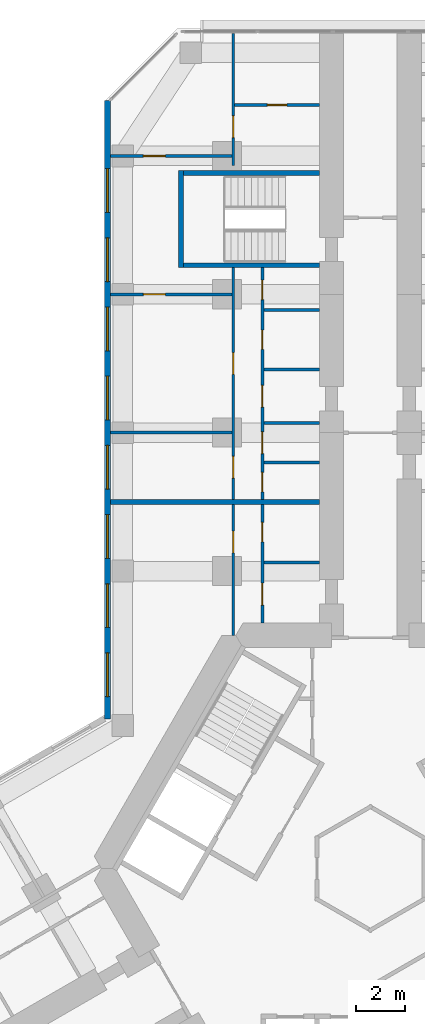
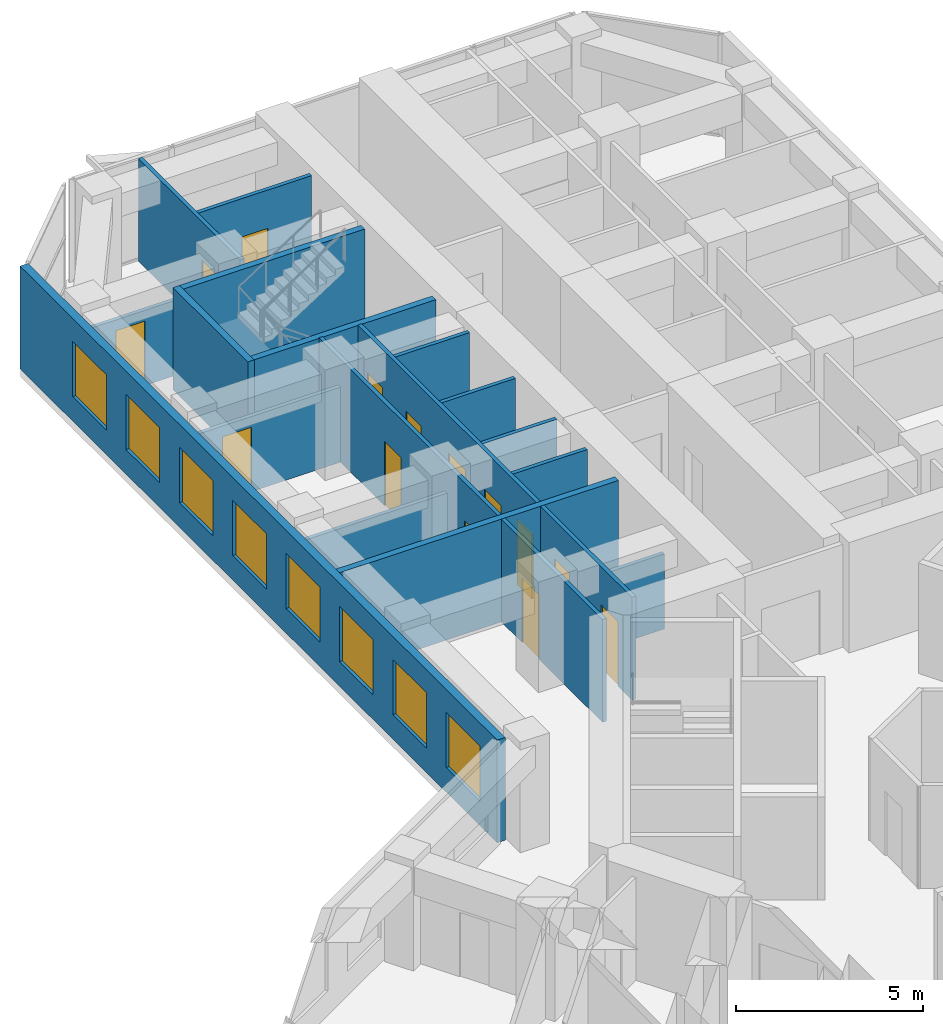
# One storey, part 17 of 21: 19 walls, 14 doors, 8 windows, 22 openings.
"""IFC4 building model written with IfcOpenShell, lengths in metres."""

from ifc_helpers import new_model, si_unit, direction, frame, frame_2d, origin, place, context, subcontext, project, spatial, rectangle, extrude, material, layer, layer_set, type_object, element, fill, save


model = new_model("IFC4")

# Units and contexts
model_context = context("Model", 3, precision=1e-05, world=origin(), true_north=direction((0.0, 1.0)))
body_context = subcontext(model_context, "Body", "Model", "MODEL_VIEW")
ifc_project = project(units=[si_unit("LENGTHUNIT", "METRE"), si_unit("AREAUNIT", "SQUARE_METRE"), si_unit("VOLUMEUNIT", "CUBIC_METRE"), si_unit("PLANEANGLEUNIT", "RADIAN"), si_unit("MASSUNIT", "GRAM", prefix="KILO")], contexts=[model_context])

# Site, building, storey
site_placement = place(None, origin())
site = spatial("IfcSite", under=ifc_project, at=site_placement, CompositionType="ELEMENT")
building_placement = place(site_placement, origin())
building = spatial("IfcBuilding", under=site, at=building_placement, Name="Kosmar Iwan School Tower", CompositionType="ELEMENT")
storey_placement = place(building_placement, frame((0.0, 0.0, 106.0)))
storey = spatial("IfcBuildingStorey", under=building, at=storey_placement, Name="L26", CompositionType="ELEMENT", Elevation=106.0)

# Wall, openings, doors
ifc_material_1 = material(Name="Gypsum board on steel studs", Category="steel")
ifc_layer_1 = layer(ifc_material_1, 0.1201171875)
ifc_layer_set_1 = layer_set([ifc_layer_1], Name="Dwelling partition 120")
wall_type_1 = type_object("IfcWallType", Name="Dwelling partition 120", PredefinedType="PARTITIONING", material=ifc_layer_set_1)
wall_1_placement = place(storey_placement, frame((-4.449951171875, 10.10009765625, 0.0), z_axis=(0.0, 0.0, 1.0), x_axis=(0.0, 1.0, 0.0)))
wall_1 = element("IfcWall", 1, at=wall_1_placement, inside=storey, type_object=wall_type_1, Name="Partition L26-AL1-W1", PredefinedType="PARTITIONING", context=body_context, shape_type="SweptSolid", body=[
    extrude(rectangle(XDim=4.89990234375, YDim=0.1201171875, at=frame_2d((2.449951171875, 0.0))), origin(), (0.0, 0.0, 1.0), 3.35009765625),
])
opening_1_placement = place(wall_1_placement, frame((0.75, 0.0, 0.0)))
opening_1 = element("IfcOpeningElement", 2, at=opening_1_placement, cuts=wall_1, Name="Opening D2", PredefinedType="OPENING", context=body_context, shape_type="SweptSolid", body=[
    extrude(rectangle(XDim=0.89990234375, YDim=2.10009765625, at=frame_2d((0.449951171875, 1.050048828125))), frame((0.0, 0.072021484375, 0.0), z_axis=(0.0, -1.0, 0.0), x_axis=(1.0, 0.0, 0.0)), (0.0, 0.0, 1.0), 0.14404296875),
])
opening_2_placement = place(wall_1_placement, frame((3.35009765625, 0.0, 0.0)))
opening_2 = element("IfcOpeningElement", 3, at=opening_2_placement, cuts=wall_1, Name="Opening D3", PredefinedType="OPENING", context=body_context, shape_type="SweptSolid", body=[
    extrude(rectangle(XDim=0.800048828125, YDim=2.10009765625, at=frame_2d((0.39990234375, 1.050048828125))), frame((0.0, 0.072021484375, 0.0), z_axis=(0.0, -1.0, 0.0), x_axis=(1.0, 0.0, 0.0)), (0.0, 0.0, 1.0), 0.14404296875),
])
ifc_material_2 = material(Name="Timber door in timber frame", Category="wood")
door_type_1 = type_object("IfcDoorType", Name="Internal door 900x2100", OperationType="SINGLE_SWING_LEFT", PredefinedType="DOOR", material=ifc_material_2)
door_1_placement = place(opening_1_placement, origin())
door_1 = element("IfcDoor", 4, at=door_1_placement, inside=storey, type_object=door_type_1, Name="Entrance hall door L26-AL1-S1", OperationType="SINGLE_SWING_LEFT", OverallHeight=2.10009765625, OverallWidth=0.89990234375, PredefinedType="DOOR", context=body_context, shape_type="SweptSolid", body=[
    extrude(rectangle(XDim=0.89990234375, YDim=2.10009765625, at=frame_2d((0.449951171875, 1.050048828125))), frame((0.0, 0.02490234375, 0.0), z_axis=(0.0, -1.0, 0.0), x_axis=(1.0, 0.0, 0.0)), (0.0, 0.0, 1.0), 0.050048828125),
])
fill(opening_1, door_1)
ifc_material_3 = material(Name="Timber door in timber frame", Category="wood")
door_type_2 = type_object("IfcDoorType", Name="Sanitary room door 800x2100", OperationType="SINGLE_SWING_LEFT", PredefinedType="DOOR", material=ifc_material_3)
door_2_placement = place(opening_2_placement, origin())
door_2 = element("IfcDoor", 5, at=door_2_placement, inside=storey, type_object=door_type_2, Name="Bathroom door L26-AL1-S2", OperationType="SINGLE_SWING_RIGHT", OverallHeight=2.10009765625, OverallWidth=0.800048828125, PredefinedType="DOOR", context=body_context, shape_type="SweptSolid", body=[
    extrude(rectangle(XDim=0.800048828125, YDim=2.10009765625, at=frame_2d((0.39990234375, 1.050048828125))), frame((0.0, 0.02490234375, 0.0), z_axis=(0.0, -1.0, 0.0), x_axis=(1.0, 0.0, 0.0)), (0.0, 0.0, 1.0), 0.050048828125),
])
fill(opening_2, door_2)

# Wall, opening, door
wall_2_placement = place(storey_placement, frame((-5.64990234375, 9.60009765625, 0.0), z_axis=(0.0, 0.0, 1.0), x_axis=(0.0, 1.0, 0.0)))
wall_2 = element("IfcWall", 6, at=wall_2_placement, inside=storey, type_object=wall_type_1, Name="Partition L26-AL1-W2", PredefinedType="PARTITIONING", context=body_context, shape_type="SweptSolid", body=[
    extrude(rectangle(XDim=5.39990234375, YDim=0.1201171875, at=frame_2d((2.699951171875, 0.0))), origin(), (0.0, 0.0, 1.0), 3.35009765625),
])
opening_3_placement = place(wall_2_placement, frame((3.39990234375, 0.0, 0.0)))
opening_3 = element("IfcOpeningElement", 7, at=opening_3_placement, cuts=wall_2, Name="Opening D2", PredefinedType="OPENING", context=body_context, shape_type="SweptSolid", body=[
    extrude(rectangle(XDim=0.89990234375, YDim=2.10009765625, at=frame_2d((0.449951171875, 1.050048828125))), frame((0.0, 0.072021484375, 0.0), z_axis=(0.0, -1.0, 0.0), x_axis=(1.0, 0.0, 0.0)), (0.0, 0.0, 1.0), 0.14404296875),
])
door_3_placement = place(opening_3_placement, origin())
door_3 = element("IfcDoor", 8, at=door_3_placement, inside=storey, type_object=door_type_1, Name="Studio living room and kitchen door L26-AL1-F1", OperationType="SINGLE_SWING_RIGHT", OverallHeight=2.10009765625, OverallWidth=0.89990234375, PredefinedType="DOOR", context=body_context, shape_type="SweptSolid", body=[
    extrude(rectangle(XDim=0.89990234375, YDim=2.10009765625, at=frame_2d((0.449951171875, 1.050048828125))), frame((0.0, 0.02490234375, 0.0), z_axis=(0.0, -1.0, 0.0), x_axis=(1.0, 0.0, 0.0)), (0.0, 0.0, 1.0), 0.050048828125),
])
fill(opening_3, door_3)

# Wall
wall_3_placement = place(storey_placement, frame((-2.10009765625, 12.60009765625, 0.0), z_axis=(0.0, 0.0, 1.0), x_axis=(-1.0, 0.0, 0.0)))
element("IfcWall", 9, at=wall_3_placement, inside=storey, type_object=wall_type_1, Name="Partition L26-AL1-Y1", PredefinedType="PARTITIONING", context=body_context, shape_type="SweptSolid", body=[
    extrude(rectangle(XDim=2.289794921875, YDim=0.1201171875, at=frame_2d((1.14501953125, 0.0))), origin(), (0.0, 0.0, 1.0), 2.449951171875),
])

# Wall, openings, doors
wall_4_placement = place(storey_placement, frame((-4.449951171875, 15.199951171875, 0.0), z_axis=(0.0, 0.0, 1.0), x_axis=(0.0, 1.0, 0.0)))
wall_4 = element("IfcWall", 10, at=wall_4_placement, inside=storey, type_object=wall_type_1, Name="Partition L26-AL2-W1", PredefinedType="PARTITIONING", context=body_context, shape_type="SweptSolid", body=[
    extrude(rectangle(XDim=9.550048828125, YDim=0.1201171875, at=frame_2d((4.77490234375, 0.0))), origin(), (0.0, 0.0, 1.0), 3.35009765625),
])
opening_4_placement = place(wall_4_placement, frame((0.3125, 0.0, 0.0)))
opening_4 = element("IfcOpeningElement", 11, at=opening_4_placement, cuts=wall_4, Name="Opening D3", PredefinedType="OPENING", context=body_context, shape_type="SweptSolid", body=[
    extrude(rectangle(XDim=0.800048828125, YDim=2.10009765625, at=frame_2d((0.39990234375, 1.050048828125))), frame((0.0, 0.072021484375, 0.0), z_axis=(0.0, -1.0, 0.0), x_axis=(1.0, 0.0, 0.0)), (0.0, 0.0, 1.0), 0.14404296875),
])
opening_5_placement = place(wall_4_placement, frame((1.887451171875, 0.0, 0.0)))
opening_5 = element("IfcOpeningElement", 12, at=opening_5_placement, cuts=wall_4, Name="Opening D2", PredefinedType="OPENING", context=body_context, shape_type="SweptSolid", body=[
    extrude(rectangle(XDim=0.89990234375, YDim=2.10009765625, at=frame_2d((0.449951171875, 1.050048828125))), frame((0.0, 0.072021484375, 0.0), z_axis=(0.0, -1.0, 0.0), x_axis=(1.0, 0.0, 0.0)), (0.0, 0.0, 1.0), 0.14404296875),
])
opening_6_placement = place(wall_4_placement, frame((3.800048828125, 0.0, 0.0)))
opening_6 = element("IfcOpeningElement", 13, at=opening_6_placement, cuts=wall_4, Name="Opening D2", PredefinedType="OPENING", context=body_context, shape_type="SweptSolid", body=[
    extrude(rectangle(XDim=0.89990234375, YDim=2.10009765625, at=frame_2d((0.449951171875, 1.050048828125))), frame((0.0, 0.072021484375, 0.0), z_axis=(0.0, -1.0, 0.0), x_axis=(1.0, 0.0, 0.0)), (0.0, 0.0, 1.0), 0.14404296875),
])
opening_7_placement = place(wall_4_placement, frame((6.179931640625, 0.0, 0.0)))
opening_7 = element("IfcOpeningElement", 14, at=opening_7_placement, cuts=wall_4, Name="Opening D3", PredefinedType="OPENING", context=body_context, shape_type="SweptSolid", body=[
    extrude(rectangle(XDim=0.800048828125, YDim=2.10009765625, at=frame_2d((0.39990234375, 1.050048828125))), frame((0.0, 0.072021484375, 0.0), z_axis=(0.0, -1.0, 0.0), x_axis=(1.0, 0.0, 0.0)), (0.0, 0.0, 1.0), 0.14404296875),
])
opening_8_placement = place(wall_4_placement, frame((8.22998046875, 0.0, 0.0)))
opening_8 = element("IfcOpeningElement", 15, at=opening_8_placement, cuts=wall_4, Name="Opening D3", PredefinedType="OPENING", context=body_context, shape_type="SweptSolid", body=[
    extrude(rectangle(XDim=0.800048828125, YDim=2.10009765625, at=frame_2d((0.39990234375, 1.050048828125))), frame((0.0, 0.072021484375, 0.0), z_axis=(0.0, -1.0, 0.0), x_axis=(1.0, 0.0, 0.0)), (0.0, 0.0, 1.0), 0.14404296875),
])
door_4_placement = place(opening_5_placement, frame((0.89990234375, 0.0, 0.0), z_axis=(0.0, 0.0, 1.0), x_axis=(-1.0, 0.0, 0.0)))
door_4 = element("IfcDoor", 16, at=door_4_placement, inside=storey, type_object=door_type_1, Name="Pantry door L26-AL2-S2", OperationType="SINGLE_SWING_RIGHT", OverallHeight=2.10009765625, OverallWidth=0.89990234375, PredefinedType="DOOR", context=body_context, shape_type="SweptSolid", body=[
    extrude(rectangle(XDim=0.89990234375, YDim=2.10009765625, at=frame_2d((0.449951171875, 1.050048828125))), frame((0.0, 0.02490234375, 0.0), z_axis=(0.0, -1.0, 0.0), x_axis=(1.0, 0.0, 0.0)), (0.0, 0.0, 1.0), 0.050048828125),
])
fill(opening_5, door_4)
door_5_placement = place(opening_6_placement, origin())
door_5 = element("IfcDoor", 17, at=door_5_placement, inside=storey, type_object=door_type_1, Name="Entrance hall door L26-AL2-S3", OperationType="SINGLE_SWING_LEFT", OverallHeight=2.10009765625, OverallWidth=0.89990234375, PredefinedType="DOOR", context=body_context, shape_type="SweptSolid", body=[
    extrude(rectangle(XDim=0.89990234375, YDim=2.10009765625, at=frame_2d((0.449951171875, 1.050048828125))), frame((0.0, 0.02490234375, 0.0), z_axis=(0.0, -1.0, 0.0), x_axis=(1.0, 0.0, 0.0)), (0.0, 0.0, 1.0), 0.050048828125),
])
fill(opening_6, door_5)
door_6_placement = place(opening_4_placement, origin())
door_6 = element("IfcDoor", 18, at=door_6_placement, inside=storey, type_object=door_type_2, Name="Store door L26-AL2-S1", OperationType="SINGLE_SWING_LEFT", OverallHeight=2.10009765625, OverallWidth=0.800048828125, PredefinedType="DOOR", context=body_context, shape_type="SweptSolid", body=[
    extrude(rectangle(XDim=0.800048828125, YDim=2.10009765625, at=frame_2d((0.39990234375, 1.050048828125))), frame((0.0, 0.02490234375, 0.0), z_axis=(0.0, -1.0, 0.0), x_axis=(1.0, 0.0, 0.0)), (0.0, 0.0, 1.0), 0.050048828125),
])
fill(opening_4, door_6)
door_7_placement = place(opening_7_placement, origin())
door_7 = element("IfcDoor", 19, at=door_7_placement, inside=storey, type_object=door_type_2, Name="Bathroom door L26-AL2-S4", OperationType="SINGLE_SWING_RIGHT", OverallHeight=2.10009765625, OverallWidth=0.800048828125, PredefinedType="DOOR", context=body_context, shape_type="SweptSolid", body=[
    extrude(rectangle(XDim=0.800048828125, YDim=2.10009765625, at=frame_2d((0.39990234375, 1.050048828125))), frame((0.0, 0.02490234375, 0.0), z_axis=(0.0, -1.0, 0.0), x_axis=(1.0, 0.0, 0.0)), (0.0, 0.0, 1.0), 0.050048828125),
])
fill(opening_7, door_7)
door_8_placement = place(opening_8_placement, origin())
door_8 = element("IfcDoor", 20, at=door_8_placement, inside=storey, type_object=door_type_2, Name="WC door L26-AL2-S5", OperationType="SINGLE_SWING_RIGHT", OverallHeight=2.10009765625, OverallWidth=0.800048828125, PredefinedType="DOOR", context=body_context, shape_type="SweptSolid", body=[
    extrude(rectangle(XDim=0.800048828125, YDim=2.10009765625, at=frame_2d((0.39990234375, 1.050048828125))), frame((0.0, 0.02490234375, 0.0), z_axis=(0.0, -1.0, 0.0), x_axis=(1.0, 0.0, 0.0)), (0.0, 0.0, 1.0), 0.050048828125),
])
fill(opening_8, door_8)

wall_5_placement = place(storey_placement, frame((-5.64990234375, 15.199951171875, 0.0), z_axis=(0.0, 0.0, 1.0), x_axis=(0.0, 1.0, 0.0)))
wall_5 = element("IfcWall", 21, at=wall_5_placement, inside=storey, type_object=wall_type_1, Name="Partition L26-AL2-W2", PredefinedType="PARTITIONING", context=body_context, shape_type="SweptSolid", body=[
    extrude(rectangle(XDim=9.550048828125, YDim=0.1201171875, at=frame_2d((4.77490234375, 0.0))), origin(), (0.0, 0.0, 1.0), 3.35009765625),
])
opening_9_placement = place(wall_5_placement, frame((0.875, 0.0, 0.0)))
opening_9 = element("IfcOpeningElement", 22, at=opening_9_placement, cuts=wall_5, Name="Opening D2", PredefinedType="OPENING", context=body_context, shape_type="SweptSolid", body=[
    extrude(rectangle(XDim=0.89990234375, YDim=2.10009765625, at=frame_2d((0.449951171875, 1.050048828125))), frame((0.0, 0.072021484375, 0.0), z_axis=(0.0, -1.0, 0.0), x_axis=(1.0, 0.0, 0.0)), (0.0, 0.0, 1.0), 0.14404296875),
])
opening_10_placement = place(wall_5_placement, frame((5.14990234375, 0.0, 0.0)))
opening_10 = element("IfcOpeningElement", 23, at=opening_10_placement, cuts=wall_5, Name="Opening D2", PredefinedType="OPENING", context=body_context, shape_type="SweptSolid", body=[
    extrude(rectangle(XDim=0.89990234375, YDim=2.10009765625, at=frame_2d((0.449951171875, 1.050048828125))), frame((0.0, 0.072021484375, 0.0), z_axis=(0.0, -1.0, 0.0), x_axis=(1.0, 0.0, 0.0)), (0.0, 0.0, 1.0), 0.14404296875),
])
door_9_placement = place(opening_9_placement, origin())
door_9 = element("IfcDoor", 24, at=door_9_placement, inside=storey, type_object=door_type_1, Name="Bedroom 1 door L26-AL2-F1", OperationType="SINGLE_SWING_LEFT", OverallHeight=2.10009765625, OverallWidth=0.89990234375, PredefinedType="DOOR", context=body_context, shape_type="SweptSolid", body=[
    extrude(rectangle(XDim=0.89990234375, YDim=2.10009765625, at=frame_2d((0.449951171875, 1.050048828125))), frame((0.0, 0.02490234375, 0.0), z_axis=(0.0, -1.0, 0.0), x_axis=(1.0, 0.0, 0.0)), (0.0, 0.0, 1.0), 0.050048828125),
])
fill(opening_9, door_9)
door_10_placement = place(opening_10_placement, origin())
door_10 = element("IfcDoor", 25, at=door_10_placement, inside=storey, type_object=door_type_1, Name="Living room and kitchen door L26-AL2-F2", OperationType="SINGLE_SWING_RIGHT", OverallHeight=2.10009765625, OverallWidth=0.89990234375, PredefinedType="DOOR", context=body_context, shape_type="SweptSolid", body=[
    extrude(rectangle(XDim=0.89990234375, YDim=2.10009765625, at=frame_2d((0.449951171875, 1.050048828125))), frame((0.0, 0.02490234375, 0.0), z_axis=(0.0, -1.0, 0.0), x_axis=(1.0, 0.0, 0.0)), (0.0, 0.0, 1.0), 0.050048828125),
])
fill(opening_10, door_10)

# Walls
wall_6_placement = place(storey_placement, frame((-5.7099609375, 17.949951171875, 0.0), z_axis=(0.0, 0.0, 1.0), x_axis=(-1.0, 0.0, 0.0)))
element("IfcWall", 26, at=wall_6_placement, inside=storey, type_object=wall_type_1, Name="Partition L26-AL2-X1", PredefinedType="PARTITIONING", context=body_context, shape_type="SweptSolid", body=[
    extrude(rectangle(XDim=4.989990234375, YDim=0.1201171875, at=frame_2d((2.4951171875, 0.0))), origin(), (0.0, 0.0, 1.0), 2.449951171875),
])
for number, where, z_axis, x_axis, name in (
    (27, (-2.10009765625, 16.72509765625, 0.0), (0.0, 0.0, 1.0), (-1.0, 0.0, 0.0), "Partition L26-AL2-Y1"),
    (28, (-2.10009765625, 18.35009765625, 0.0), (0.0, 0.0, 1.0), (-1.0, 0.0, 0.0), "Partition L26-AL2-Y2"),
    (29, (-2.10009765625, 20.550048828125, 0.0), (0.0, 0.0, 1.0), (-1.0, 0.0, 0.0), "Partition L26-AL2-Y3"),
    (30, (-2.10009765625, 23.010009765625, 0.0), (0.0, 0.0, 1.0), (-1.0, 0.0, 0.0), "Partition L26-AL2-Y4"),
):
    element("IfcWall", number, at=place(storey_placement, frame(where, z_axis=z_axis, x_axis=x_axis)), inside=storey, type_object=wall_type_1, Name=name, PredefinedType="PARTITIONING", context=body_context, shape_type="SweptSolid", body=[
        extrude(rectangle(XDim=2.289794921875, YDim=0.1201171875, at=frame_2d((1.14501953125, 0.0))), origin(), (0.0, 0.0, 1.0), 3.35009765625),
    ])

# Wall, opening, door
wall_7_placement = place(storey_placement, frame((-5.7099609375, 23.64990234375, 0.0), z_axis=(0.0, 0.0, 1.0), x_axis=(-1.0, 0.0, 0.0)))
wall_7 = element("IfcWall", 31, at=wall_7_placement, inside=storey, type_object=wall_type_1, Name="Partition L26-AL2-TB", PredefinedType="PARTITIONING", context=body_context, shape_type="SweptSolid", body=[
    extrude(rectangle(XDim=4.989990234375, YDim=0.1201171875, at=frame_2d((2.4951171875, 0.0))), origin(), (0.0, 0.0, 1.0), 2.449951171875),
])
opening_11_placement = place(wall_7_placement, frame((2.739990234375, 0.0, 0.0)))
opening_11 = element("IfcOpeningElement", 32, at=opening_11_placement, cuts=wall_7, Name="Opening D2", PredefinedType="OPENING", context=body_context, shape_type="SweptSolid", body=[
    extrude(rectangle(XDim=0.89990234375, YDim=2.10009765625, at=frame_2d((0.449951171875, 1.050048828125))), frame((0.0, 0.072021484375, 0.0), z_axis=(0.0, -1.0, 0.0), x_axis=(1.0, 0.0, 0.0)), (0.0, 0.0, 1.0), 0.14404296875),
])
door_11_placement = place(opening_11_placement, origin())
door_11 = element("IfcDoor", 33, at=door_11_placement, inside=storey, type_object=door_type_1, Name="Study door L26-AL2-F2", OperationType="SINGLE_SWING_RIGHT", OverallHeight=2.10009765625, OverallWidth=0.89990234375, PredefinedType="DOOR", context=body_context, shape_type="SweptSolid", body=[
    extrude(rectangle(XDim=0.89990234375, YDim=2.10009765625, at=frame_2d((0.449951171875, 1.050048828125))), frame((0.0, 0.02490234375, 0.0), z_axis=(0.0, -1.0, 0.0), x_axis=(1.0, 0.0, 0.0)), (0.0, 0.0, 1.0), 0.050048828125),
])
fill(opening_11, door_11)

wall_8_placement = place(storey_placement, frame((-5.7099609375, 29.35009765625, 0.0), z_axis=(0.0, 0.0, 1.0), x_axis=(-1.0, 0.0, 0.0)))
wall_8 = element("IfcWall", 34, at=wall_8_placement, inside=storey, type_object=wall_type_1, Name="Partition L26-AL2-TX", PredefinedType="PARTITIONING", context=body_context, shape_type="SweptSolid", body=[
    extrude(rectangle(XDim=4.989990234375, YDim=0.1201171875, at=frame_2d((2.4951171875, 0.0))), origin(), (0.0, 0.0, 1.0), 2.449951171875),
])
opening_12_placement = place(wall_8_placement, frame((2.739990234375, 0.0, 0.0)))
opening_12 = element("IfcOpeningElement", 35, at=opening_12_placement, cuts=wall_8, Name="Opening D2", PredefinedType="OPENING", context=body_context, shape_type="SweptSolid", body=[
    extrude(rectangle(XDim=0.89990234375, YDim=2.10009765625, at=frame_2d((0.449951171875, 1.050048828125))), frame((0.0, 0.072021484375, 0.0), z_axis=(0.0, -1.0, 0.0), x_axis=(1.0, 0.0, 0.0)), (0.0, 0.0, 1.0), 0.14404296875),
])
door_12_placement = place(opening_12_placement, origin())
door_12 = element("IfcDoor", 36, at=door_12_placement, inside=storey, type_object=door_type_1, Name="Study door L26-AL2-T1", OperationType="SINGLE_SWING_RIGHT", OverallHeight=2.10009765625, OverallWidth=0.89990234375, PredefinedType="DOOR", context=body_context, shape_type="SweptSolid", body=[
    extrude(rectangle(XDim=0.89990234375, YDim=2.10009765625, at=frame_2d((0.449951171875, 1.050048828125))), frame((0.0, 0.02490234375, 0.0), z_axis=(0.0, -1.0, 0.0), x_axis=(1.0, 0.0, 0.0)), (0.0, 0.0, 1.0), 0.050048828125),
])
fill(opening_12, door_12)

wall_9_placement = place(storey_placement, frame((-5.64990234375, 28.949951171875, 0.0), z_axis=(0.0, 0.0, 1.0), x_axis=(0.0, 1.0, 0.0)))
wall_9 = element("IfcWall", 37, at=wall_9_placement, inside=storey, type_object=wall_type_1, Name="Partition L26-AL2-TW", PredefinedType="PARTITIONING", context=body_context, shape_type="SweptSolid", body=[
    extrude(rectangle(XDim=5.445068359375, YDim=0.1201171875, at=frame_2d((2.72265625, 0.0))), origin(), (0.0, 0.0, 1.0), 3.35009765625),
])
opening_13_placement = place(wall_9_placement, frame((1.14990234375, 0.0, 0.0)))
opening_13 = element("IfcOpeningElement", 38, at=opening_13_placement, cuts=wall_9, Name="Opening D2", PredefinedType="OPENING", context=body_context, shape_type="SweptSolid", body=[
    extrude(rectangle(XDim=0.89990234375, YDim=2.10009765625, at=frame_2d((0.449951171875, 1.050048828125))), frame((0.0, 0.072021484375, 0.0), z_axis=(0.0, -1.0, 0.0), x_axis=(1.0, 0.0, 0.0)), (0.0, 0.0, 1.0), 0.14404296875),
])
door_13_placement = place(opening_13_placement, origin())
door_13 = element("IfcDoor", 39, at=door_13_placement, inside=storey, type_object=door_type_1, Name="Dressing room door L26-AL2-T3", OperationType="SINGLE_SWING_LEFT", OverallHeight=2.10009765625, OverallWidth=0.89990234375, PredefinedType="DOOR", context=body_context, shape_type="SweptSolid", body=[
    extrude(rectangle(XDim=0.89990234375, YDim=2.10009765625, at=frame_2d((0.449951171875, 1.050048828125))), frame((0.0, 0.02490234375, 0.0), z_axis=(0.0, -1.0, 0.0), x_axis=(1.0, 0.0, 0.0)), (0.0, 0.0, 1.0), 0.050048828125),
])
fill(opening_13, door_13)

wall_10_placement = place(storey_placement, frame((-2.10009765625, 31.449951171875, 0.0), z_axis=(0.0, 0.0, 1.0), x_axis=(-1.0, 0.0, 0.0)))
wall_10 = element("IfcWall", 40, at=wall_10_placement, inside=storey, type_object=wall_type_1, Name="Partition L26-AL2-TY", PredefinedType="PARTITIONING", context=body_context, shape_type="SweptSolid", body=[
    extrude(rectangle(XDim=3.489990234375, YDim=0.1201171875, at=frame_2d((1.7451171875, 0.0))), origin(), (0.0, 0.0, 1.0), 3.35009765625),
])
opening_14_placement = place(wall_10_placement, frame((1.344970703125, 0.0, 0.0)))
opening_14 = element("IfcOpeningElement", 41, at=opening_14_placement, cuts=wall_10, Name="Opening D3", PredefinedType="OPENING", context=body_context, shape_type="SweptSolid", body=[
    extrude(rectangle(XDim=0.800048828125, YDim=2.10009765625, at=frame_2d((0.39990234375, 1.050048828125))), frame((0.0, 0.072021484375, 0.0), z_axis=(0.0, -1.0, 0.0), x_axis=(1.0, 0.0, 0.0)), (0.0, 0.0, 1.0), 0.14404296875),
])
door_14_placement = place(opening_14_placement, origin())
door_14 = element("IfcDoor", 42, at=door_14_placement, inside=storey, type_object=door_type_2, Name="Shower room door L26-AL2-T4", OperationType="SINGLE_SWING_RIGHT", OverallHeight=2.10009765625, OverallWidth=0.800048828125, PredefinedType="DOOR", context=body_context, shape_type="SweptSolid", body=[
    extrude(rectangle(XDim=0.800048828125, YDim=2.10009765625, at=frame_2d((0.39990234375, 1.050048828125))), frame((0.0, 0.02490234375, 0.0), z_axis=(0.0, -1.0, 0.0), x_axis=(1.0, 0.0, 0.0)), (0.0, 0.0, 1.0), 0.050048828125),
])
fill(opening_14, door_14)

# Walls
ifc_material_4 = material(Name="Concrete C35/45", Category="concrete")
ifc_layer_2 = layer(ifc_material_4, 0.199951171875)
ifc_layer_set_2 = layer_set([ifc_layer_2], Name="Escape stair wall 200")
wall_type_2 = type_object("IfcWallType", Name="Escape stair wall 200", PredefinedType="SHEAR", material=ifc_layer_set_2)
for number, where, z_axis, x_axis, name in (
    (43, (-2.10009765625, 24.85009765625, 0.0), (0.0, 0.0, 1.0), (-1.0, 0.0, 0.0), "Stair WS1 wall"),
    (44, (-2.10009765625, 28.64990234375, 0.0), (0.0, 0.0, 1.0), (-1.0, 0.0, 0.0), "Stair WS1 wall"),
):
    element("IfcWall", number, at=place(storey_placement, frame(where, z_axis=z_axis, x_axis=x_axis)), inside=storey, type_object=wall_type_2, Name=name, PredefinedType="SHEAR", context=body_context, shape_type="SweptSolid", body=[
        extrude(rectangle(XDim=5.7998046875, YDim=0.199951171875, at=frame_2d((2.89990234375, 0.0))), origin(), (0.0, 0.0, 1.0), 3.330078125),
    ])
wall_11_placement = place(storey_placement, frame((-7.800048828125, 24.75, 0.0), z_axis=(0.0, 0.0, 1.0), x_axis=(0.0, 1.0, 0.0)))
element("IfcWall", 45, at=wall_11_placement, inside=storey, type_object=wall_type_2, Name="Stair WS1 wall", PredefinedType="SHEAR", context=body_context, shape_type="SweptSolid", body=[
    extrude(rectangle(XDim=4.0, YDim=0.199951171875, at=frame_2d((2.0, 0.0))), origin(), (0.0, 0.0, 1.0), 3.330078125),
])

# Wall, openings, windows
ifc_material_5 = material(Name="Black aluminium rainscreen on insulated framing", Category="aluminium")
ifc_layer_3 = layer(ifc_material_5, 0.25)
ifc_layer_set_3 = layer_set([ifc_layer_3], Name="External wall rainscreen 250")
wall_type_3 = type_object("IfcWallType", Name="External wall rainscreen 250", PredefinedType="SOLIDWALL", material=ifc_layer_set_3)
wall_12_placement = place(storey_placement, frame((-10.824951171875, 6.14794921875, 0.0), z_axis=(0.0, 0.0, 1.0), x_axis=(0.0, 1.0, 0.0)))
wall_12 = element("IfcWall", 46, at=wall_12_placement, inside=storey, type_object=wall_type_3, Name="External wall AL L26", PredefinedType="SOLIDWALL", context=body_context, shape_type="SweptSolid", body=[
    extrude(rectangle(XDim=25.4873046875, YDim=0.25, at=frame_2d((12.74365234375, 0.0))), origin(), (0.0, 0.0, 1.0), 3.35009765625),
])
opening_15_placement = place(wall_12_placement, frame((0.927001953125, 0.0, 0.800048828125)))
opening_15 = element("IfcOpeningElement", 47, at=opening_15_placement, cuts=wall_12, Name="Opening W1", PredefinedType="OPENING", context=body_context, shape_type="SweptSolid", body=[
    extrude(rectangle(XDim=1.800048828125, YDim=1.800048828125, at=frame_2d((0.89990234375, 0.89990234375))), frame((0.0, 0.136962890625, 0.0), z_axis=(0.0, -1.0, 0.0), x_axis=(1.0, 0.0, 0.0)), (0.0, 0.0, 1.0), 0.27392578125),
])
opening_16_placement = place(wall_12_placement, frame((3.777099609375, 0.0, 0.800048828125)))
opening_16 = element("IfcOpeningElement", 48, at=opening_16_placement, cuts=wall_12, Name="Opening W1", PredefinedType="OPENING", context=body_context, shape_type="SweptSolid", body=[
    extrude(rectangle(XDim=1.800048828125, YDim=1.800048828125, at=frame_2d((0.89990234375, 0.89990234375))), frame((0.0, 0.136962890625, 0.0), z_axis=(0.0, -1.0, 0.0), x_axis=(1.0, 0.0, 0.0)), (0.0, 0.0, 1.0), 0.27392578125),
])
opening_17_placement = place(wall_12_placement, frame((6.626953125, 0.0, 0.800048828125)))
opening_17 = element("IfcOpeningElement", 49, at=opening_17_placement, cuts=wall_12, Name="Opening W1", PredefinedType="OPENING", context=body_context, shape_type="SweptSolid", body=[
    extrude(rectangle(XDim=1.800048828125, YDim=1.800048828125, at=frame_2d((0.89990234375, 0.89990234375))), frame((0.0, 0.136962890625, 0.0), z_axis=(0.0, -1.0, 0.0), x_axis=(1.0, 0.0, 0.0)), (0.0, 0.0, 1.0), 0.27392578125),
])
opening_18_placement = place(wall_12_placement, frame((9.47705078125, 0.0, 0.800048828125)))
opening_18 = element("IfcOpeningElement", 50, at=opening_18_placement, cuts=wall_12, Name="Opening W1", PredefinedType="OPENING", context=body_context, shape_type="SweptSolid", body=[
    extrude(rectangle(XDim=1.800048828125, YDim=1.800048828125, at=frame_2d((0.89990234375, 0.89990234375))), frame((0.0, 0.136962890625, 0.0), z_axis=(0.0, -1.0, 0.0), x_axis=(1.0, 0.0, 0.0)), (0.0, 0.0, 1.0), 0.27392578125),
])
opening_19_placement = place(wall_12_placement, frame((12.326904296875, 0.0, 0.800048828125)))
opening_19 = element("IfcOpeningElement", 51, at=opening_19_placement, cuts=wall_12, Name="Opening W1", PredefinedType="OPENING", context=body_context, shape_type="SweptSolid", body=[
    extrude(rectangle(XDim=1.800048828125, YDim=1.800048828125, at=frame_2d((0.89990234375, 0.89990234375))), frame((0.0, 0.136962890625, 0.0), z_axis=(0.0, -1.0, 0.0), x_axis=(1.0, 0.0, 0.0)), (0.0, 0.0, 1.0), 0.27392578125),
])
opening_20_placement = place(wall_12_placement, frame((15.177001953125, 0.0, 0.800048828125)))
opening_20 = element("IfcOpeningElement", 52, at=opening_20_placement, cuts=wall_12, Name="Opening W1", PredefinedType="OPENING", context=body_context, shape_type="SweptSolid", body=[
    extrude(rectangle(XDim=1.800048828125, YDim=1.800048828125, at=frame_2d((0.89990234375, 0.89990234375))), frame((0.0, 0.136962890625, 0.0), z_axis=(0.0, -1.0, 0.0), x_axis=(1.0, 0.0, 0.0)), (0.0, 0.0, 1.0), 0.27392578125),
])
opening_21_placement = place(wall_12_placement, frame((18.027099609375, 0.0, 0.800048828125)))
opening_21 = element("IfcOpeningElement", 53, at=opening_21_placement, cuts=wall_12, Name="Opening W1", PredefinedType="OPENING", context=body_context, shape_type="SweptSolid", body=[
    extrude(rectangle(XDim=1.800048828125, YDim=1.800048828125, at=frame_2d((0.89990234375, 0.89990234375))), frame((0.0, 0.136962890625, 0.0), z_axis=(0.0, -1.0, 0.0), x_axis=(1.0, 0.0, 0.0)), (0.0, 0.0, 1.0), 0.27392578125),
])
opening_22_placement = place(wall_12_placement, frame((20.876953125, 0.0, 0.800048828125)))
opening_22 = element("IfcOpeningElement", 54, at=opening_22_placement, cuts=wall_12, Name="Opening W1", PredefinedType="OPENING", context=body_context, shape_type="SweptSolid", body=[
    extrude(rectangle(XDim=1.800048828125, YDim=1.800048828125, at=frame_2d((0.89990234375, 0.89990234375))), frame((0.0, 0.136962890625, 0.0), z_axis=(0.0, -1.0, 0.0), x_axis=(1.0, 0.0, 0.0)), (0.0, 0.0, 1.0), 0.27392578125),
])
ifc_material_6 = material(Name="Black aluminium frame with dark triple glazing", Category="aluminium")
window_type = type_object("IfcWindowType", Name="Window 1800x1800", PartitioningType="SINGLE_PANEL", PredefinedType="WINDOW", material=ifc_material_6)
window_1_placement = place(opening_15_placement, origin())
window_1 = element("IfcWindow", 55, at=window_1_placement, inside=storey, type_object=window_type, Name="Window AL L26 -1", OverallHeight=1.800048828125, OverallWidth=1.800048828125, PartitioningType="SINGLE_PANEL", PredefinedType="WINDOW", context=body_context, shape_type="SweptSolid", body=[
    extrude(rectangle(XDim=1.800048828125, YDim=1.800048828125, at=frame_2d((0.89990234375, 0.89990234375))), frame((0.0, 0.030029296875, 0.0), z_axis=(0.0, -1.0, 0.0), x_axis=(1.0, 0.0, 0.0)), (0.0, 0.0, 1.0), 0.06005859375),
])
fill(opening_15, window_1)
window_2_placement = place(opening_16_placement, origin())
window_2 = element("IfcWindow", 56, at=window_2_placement, inside=storey, type_object=window_type, Name="Window AL L26 0", OverallHeight=1.800048828125, OverallWidth=1.800048828125, PartitioningType="SINGLE_PANEL", PredefinedType="WINDOW", context=body_context, shape_type="SweptSolid", body=[
    extrude(rectangle(XDim=1.800048828125, YDim=1.800048828125, at=frame_2d((0.89990234375, 0.89990234375))), frame((0.0, 0.030029296875, 0.0), z_axis=(0.0, -1.0, 0.0), x_axis=(1.0, 0.0, 0.0)), (0.0, 0.0, 1.0), 0.06005859375),
])
fill(opening_16, window_2)
window_3_placement = place(opening_17_placement, origin())
window_3 = element("IfcWindow", 57, at=window_3_placement, inside=storey, type_object=window_type, Name="Window AL L26 1", OverallHeight=1.800048828125, OverallWidth=1.800048828125, PartitioningType="SINGLE_PANEL", PredefinedType="WINDOW", context=body_context, shape_type="SweptSolid", body=[
    extrude(rectangle(XDim=1.800048828125, YDim=1.800048828125, at=frame_2d((0.89990234375, 0.89990234375))), frame((0.0, 0.030029296875, 0.0), z_axis=(0.0, -1.0, 0.0), x_axis=(1.0, 0.0, 0.0)), (0.0, 0.0, 1.0), 0.06005859375),
])
fill(opening_17, window_3)
window_4_placement = place(opening_18_placement, origin())
window_4 = element("IfcWindow", 58, at=window_4_placement, inside=storey, type_object=window_type, Name="Window AL L26 2", OverallHeight=1.800048828125, OverallWidth=1.800048828125, PartitioningType="SINGLE_PANEL", PredefinedType="WINDOW", context=body_context, shape_type="SweptSolid", body=[
    extrude(rectangle(XDim=1.800048828125, YDim=1.800048828125, at=frame_2d((0.89990234375, 0.89990234375))), frame((0.0, 0.030029296875, 0.0), z_axis=(0.0, -1.0, 0.0), x_axis=(1.0, 0.0, 0.0)), (0.0, 0.0, 1.0), 0.06005859375),
])
fill(opening_18, window_4)
window_5_placement = place(opening_19_placement, origin())
window_5 = element("IfcWindow", 59, at=window_5_placement, inside=storey, type_object=window_type, Name="Window AL L26 3", OverallHeight=1.800048828125, OverallWidth=1.800048828125, PartitioningType="SINGLE_PANEL", PredefinedType="WINDOW", context=body_context, shape_type="SweptSolid", body=[
    extrude(rectangle(XDim=1.800048828125, YDim=1.800048828125, at=frame_2d((0.89990234375, 0.89990234375))), frame((0.0, 0.030029296875, 0.0), z_axis=(0.0, -1.0, 0.0), x_axis=(1.0, 0.0, 0.0)), (0.0, 0.0, 1.0), 0.06005859375),
])
fill(opening_19, window_5)
window_6_placement = place(opening_20_placement, origin())
window_6 = element("IfcWindow", 60, at=window_6_placement, inside=storey, type_object=window_type, Name="Window AL L26 4", OverallHeight=1.800048828125, OverallWidth=1.800048828125, PartitioningType="SINGLE_PANEL", PredefinedType="WINDOW", context=body_context, shape_type="SweptSolid", body=[
    extrude(rectangle(XDim=1.800048828125, YDim=1.800048828125, at=frame_2d((0.89990234375, 0.89990234375))), frame((0.0, 0.030029296875, 0.0), z_axis=(0.0, -1.0, 0.0), x_axis=(1.0, 0.0, 0.0)), (0.0, 0.0, 1.0), 0.06005859375),
])
fill(opening_20, window_6)
window_7_placement = place(opening_21_placement, origin())
window_7 = element("IfcWindow", 61, at=window_7_placement, inside=storey, type_object=window_type, Name="Window AL L26 5", OverallHeight=1.800048828125, OverallWidth=1.800048828125, PartitioningType="SINGLE_PANEL", PredefinedType="WINDOW", context=body_context, shape_type="SweptSolid", body=[
    extrude(rectangle(XDim=1.800048828125, YDim=1.800048828125, at=frame_2d((0.89990234375, 0.89990234375))), frame((0.0, 0.030029296875, 0.0), z_axis=(0.0, -1.0, 0.0), x_axis=(1.0, 0.0, 0.0)), (0.0, 0.0, 1.0), 0.06005859375),
])
fill(opening_21, window_7)
window_8_placement = place(opening_22_placement, origin())
window_8 = element("IfcWindow", 62, at=window_8_placement, inside=storey, type_object=window_type, Name="Window AL L26 6", OverallHeight=1.800048828125, OverallWidth=1.800048828125, PartitioningType="SINGLE_PANEL", PredefinedType="WINDOW", context=body_context, shape_type="SweptSolid", body=[
    extrude(rectangle(XDim=1.800048828125, YDim=1.800048828125, at=frame_2d((0.89990234375, 0.89990234375))), frame((0.0, 0.030029296875, 0.0), z_axis=(0.0, -1.0, 0.0), x_axis=(1.0, 0.0, 0.0)), (0.0, 0.0, 1.0), 0.06005859375),
])
fill(opening_22, window_8)

# Wall
ifc_material_7 = material(Name="Concrete block masonry", Category="masonry")
ifc_layer_4 = layer(ifc_material_7, 0.199951171875)
ifc_layer_set_4 = layer_set([ifc_layer_4], Name="Party wall 200")
wall_type_4 = type_object("IfcWallType", Name="Party wall 200", PredefinedType="PARTITIONING", material=ifc_layer_set_4)
wall_13_placement = place(storey_placement, frame((-2.10009765625, 15.10009765625, 0.0), z_axis=(0.0, 0.0, 1.0), x_axis=(-1.0, 0.0, 0.0)))
element("IfcWall", 63, at=wall_13_placement, inside=storey, type_object=wall_type_4, Name="Partition L26-AL2-PW", PredefinedType="PARTITIONING", context=body_context, shape_type="SweptSolid", body=[
    extrude(rectangle(XDim=8.599853515625, YDim=0.199951171875, at=frame_2d((4.2998046875, 0.0))), origin(), (0.0, 0.0, 1.0), 3.35009765625),
])

save(model, "model.ifc")
